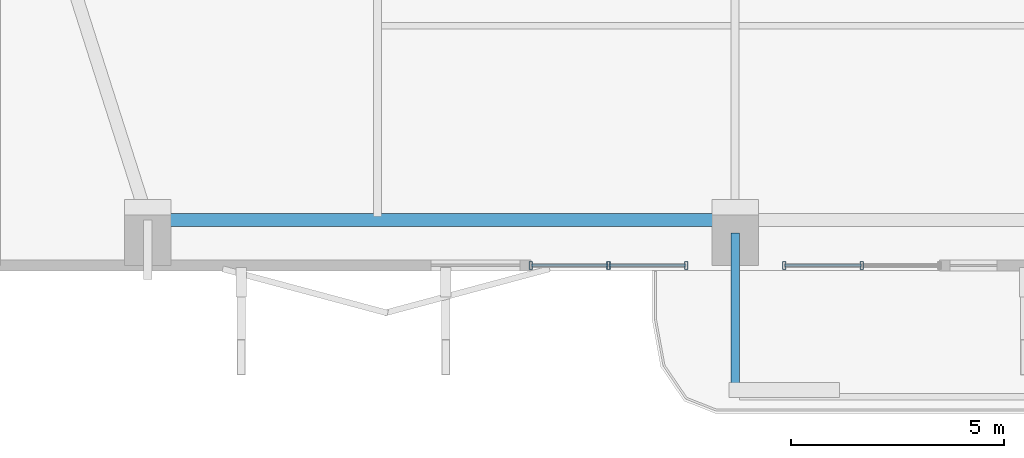
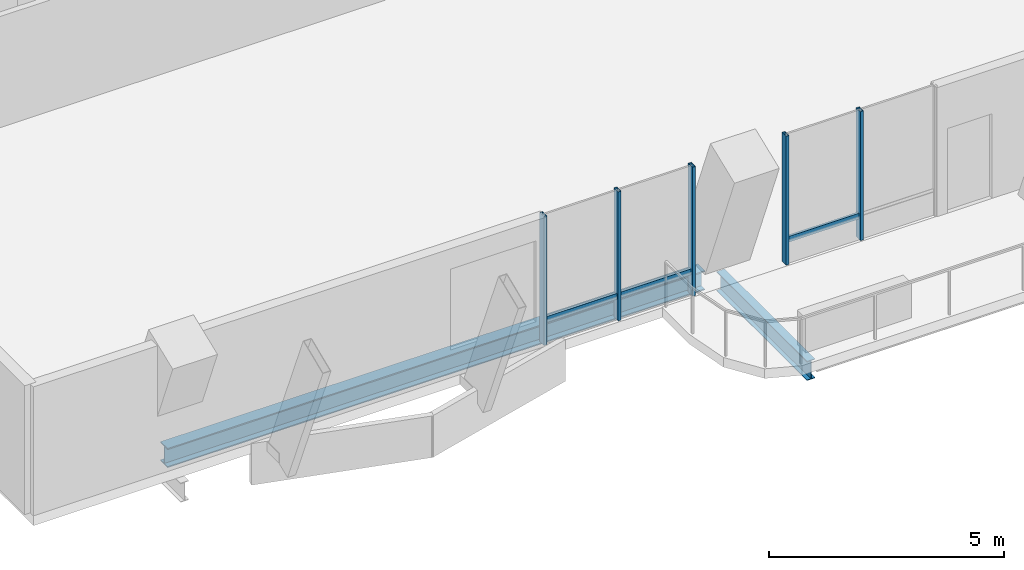
# One storey, part 2 of 24: 8 members, 2 beams, 2 elements without a shape of their own.
"""IFC4 building model written with IfcOpenShell, lengths in metres."""

import ifcopenshell
import ifcopenshell.guid

model = None  # the IFC model being written
_history = None  # IfcOwnerHistory: only IFC2X3 demands one
_inside = {}  # id of a spatial element -> (the spatial element, [elements in it])
_under = {}  # id of a project, library or spatial element -> (it, [spatial elements below it])
_declared = {}  # id of a project -> (the project, [libraries it declares])
_typed = {}  # id of a type object -> (the type object, [elements of that type])
_made_of = {}  # id of a material, layer set ... -> (it, [elements and type objects made of it])


def new_model(schema):
    """Start an empty IFC model of exactly this schema.

    Asked for "IFC4X3", IfcOpenShell would pick the latest addendum, in which some entities
    have other attributes; the version numbers below select the first issue.
    IFC2X3 requires an IfcOwnerHistory on every rooted entity: one is made here for all.
    """
    global model, _history
    if schema == "IFC4X3":
        model = ifcopenshell.file(schema_version=(4, 3, 0, 0))
    else:
        model = ifcopenshell.file(schema=schema)
    _inside.clear()
    _under.clear()
    _declared.clear()
    _typed.clear()
    _made_of.clear()
    _history = None
    if model.schema == "IFC2X3":
        org = make("IfcOrganization", Name="unknown")
        user = make(
            "IfcPersonAndOrganization",
            ThePerson=make("IfcPerson", FamilyName="unknown"),
            TheOrganization=org,
        )
        app = make(
            "IfcApplication",
            ApplicationDeveloper=org,
            Version="unknown",
            ApplicationFullName="unknown",
            ApplicationIdentifier="unknown",
        )
        _history = make(
            "IfcOwnerHistory",
            OwningUser=user,
            OwningApplication=app,
            ChangeAction="ADDED",
            CreationDate=0,
        )
    return model


def make(cls, **values):
    """One entity of the class cls with the attributes given. An attribute that is None is left unset."""
    return model.create_entity(
        cls, **{name: value for name, value in values.items() if value is not None}
    )


def rooted(cls, **values):
    """An entity with a GlobalId (a new one), such as an element, a storey or a relation."""
    return make(cls, GlobalId=ifcopenshell.guid.new(), OwnerHistory=_history, **values)


def si_unit(unit_type, name, prefix=None):
    """IfcSIUnit, for example si_unit("LENGTHUNIT", "METRE", prefix="MILLI")."""
    return make("IfcSIUnit", UnitType=unit_type, Prefix=prefix, Name=name)


def assignment(units):
    """IfcUnitAssignment: the units of a project."""
    return None if units is None else make("IfcUnitAssignment", Units=units)


def point(xyz):
    """IfcCartesianPoint."""
    return None if xyz is None else make("IfcCartesianPoint", Coordinates=xyz)


def direction(xyz):
    """IfcDirection."""
    return None if xyz is None else make("IfcDirection", DirectionRatios=xyz)


def frame(location, z_axis=None, x_axis=None):
    """IfcAxis2Placement3D, a coordinate frame: its origin and axes. An axis left out is left unset."""
    return make(
        "IfcAxis2Placement3D",
        Location=point(location),
        Axis=direction(z_axis),
        RefDirection=direction(x_axis),
    )


def frame_2d(location, x_axis=None):
    """IfcAxis2Placement2D, a coordinate frame in the plane: its origin and x axis."""
    return make(
        "IfcAxis2Placement2D", Location=point(location), RefDirection=direction(x_axis)
    )


def origin():
    """The frame at (0, 0, 0) with its axes left unset."""
    return frame((0.0, 0.0, 0.0))


def origin_2d():
    """The frame at (0, 0) in the plane with its x axis left unset."""
    return frame_2d((0.0, 0.0))


def place(relative_to, where):
    """IfcLocalPlacement: puts the frame where relative to a parent placement (None: the world)."""
    return make(
        "IfcLocalPlacement", PlacementRelTo=relative_to, RelativePlacement=where
    )


def context(
    kind, dimensions, precision=None, world=None, true_north=None, identifier=None
):
    """IfcGeometricRepresentationContext, for example the 3D "Model" context."""
    return make(
        "IfcGeometricRepresentationContext",
        ContextIdentifier=identifier,
        ContextType=kind,
        CoordinateSpaceDimension=dimensions,
        Precision=precision,
        WorldCoordinateSystem=world,
        TrueNorth=true_north,
    )


def subcontext(parent, identifier, kind, view, scale=None):
    """IfcGeometricRepresentationSubContext, for example "Body" below "Model"."""
    return make(
        "IfcGeometricRepresentationSubContext",
        ContextIdentifier=identifier,
        ContextType=kind,
        ParentContext=parent,
        TargetScale=scale,
        TargetView=view,
    )


def project(units=None, contexts=None):
    """IfcProject with its units and contexts."""
    return rooted(
        "IfcProject",
        Name="project",
        RepresentationContexts=contexts,
        UnitsInContext=assignment(units),
    )


def spatial(cls, under=None, at=None, **own):
    """A site, building, storey or space (cls), placed at a placement, below another one or the project."""
    s = rooted(cls, ObjectPlacement=at, **own)
    if under is not None:
        _under.setdefault(under.id(), (under, []))[1].append(s)
    return s


def profile(cls, at=None, kind="AREA", **sizes):
    """A parametric profile (cls). Its sizes go by their IFC names, for example OverallWidth=200.0."""
    return make(cls, ProfileType=kind, Position=at, **sizes)


def hollow_rectangle(**sizes):
    """IfcRectangleHollowProfileDef."""
    return profile("IfcRectangleHollowProfileDef", **sizes)


def i_section(**sizes):
    """IfcIShapeProfileDef."""
    return profile("IfcIShapeProfileDef", **sizes)


def extrude(swept, where, along, depth):
    """IfcExtrudedAreaSolid: the profile swept, set in the frame where, extruded along a direction by depth."""
    return make(
        "IfcExtrudedAreaSolid",
        SweptArea=swept,
        Position=where,
        ExtrudedDirection=direction(along),
        Depth=depth,
    )


def shape(context_of_items, identifier, shape_type, items):
    """IfcShapeRepresentation: the items that make up one representation, for example the "Body"."""
    return make(
        "IfcShapeRepresentation",
        ContextOfItems=context_of_items,
        RepresentationIdentifier=identifier,
        RepresentationType=shape_type,
        Items=items,
    )


def material(Name=None, Category=None):
    """IfcMaterial."""
    return make("IfcMaterial", Name=Name, Category=Category)


def layer(
    of_material, thickness, ventilated=None, Name=None, Category=None, Priority=None
):
    """IfcMaterialLayer: one layer of a wall or slab, of a material (None: an air gap)."""
    return make(
        "IfcMaterialLayer",
        Material=of_material,
        LayerThickness=thickness,
        IsVentilated=ventilated,
        Name=Name,
        Category=Category,
        Priority=Priority,
    )


def layer_set(layers, Name=None):
    """IfcMaterialLayerSet."""
    return make("IfcMaterialLayerSet", MaterialLayers=layers, LayerSetName=Name)


def material_profile(
    of_material, cross_section, Name=None, Category=None, Priority=None
):
    """IfcMaterialProfile: a cross section and its material."""
    return make(
        "IfcMaterialProfile",
        Name=Name,
        Material=of_material,
        Profile=cross_section,
        Priority=Priority,
        Category=Category,
    )


def profile_set(profiles, Name=None, composite=None):
    """IfcMaterialProfileSet."""
    return make(
        "IfcMaterialProfileSet",
        Name=Name,
        MaterialProfiles=profiles,
        CompositeProfile=composite,
    )


def made_of(thing, what):
    """Note that an element or type object is made of a material, layer set ...; save() writes the relation."""
    if what is not None:
        _made_of.setdefault(what.id(), (what, []))[1].append(thing)
    return thing


def type_object(cls, material=None, **own):
    """A type object (cls), such as IfcWallType, which elements share."""
    return made_of(rooted(cls, **own), material)


def element(
    cls,
    number,
    at=None,
    inside=None,
    cuts=None,
    type_object=None,
    material=None,
    context=None,
    identifier="Body",
    shape_type=None,
    held_by="IfcProductDefinitionShape",
    body=None,
    shapes=None,
    **own,
):
    """One element of the class cls, such as IfcWall. Its Tag is "e" and its number.

    at: its placement. inside: the storey or other place that contains it. cuts: it is an
    opening in that element (IfcRelVoidsElement). A single representation is given by context,
    identifier, shape_type and body (its items); several are given by shapes. held_by: the class
    of the entity that holds the representations. save() writes the other relations.
    """
    e = rooted(cls, Tag="e%d" % number, ObjectPlacement=at, **own)
    if body is not None:
        shapes = [shape(context, identifier, shape_type, body)]
    if shapes is not None:
        e.Representation = make(held_by, Representations=shapes)
    if inside is not None:
        _inside.setdefault(inside.id(), (inside, []))[1].append(e)
    if cuts is not None:
        rooted(
            "IfcRelVoidsElement", RelatingBuildingElement=cuts, RelatedOpeningElement=e
        )
    if type_object is not None:
        _typed.setdefault(type_object.id(), (type_object, []))[1].append(e)
    return made_of(e, material)


def aggregate(whole, parts):
    """IfcRelAggregates: a whole, such as a stair, and the parts it consists of."""
    return rooted("IfcRelAggregates", RelatingObject=whole, RelatedObjects=parts)


def save(model, path):
    """Write the relations noted so far, then the file.

    IfcRelAggregates (storeys below a building ...), IfcRelContainedInSpatialStructure (elements
    in a storey), IfcRelDefinesByType, IfcRelAssociatesMaterial and IfcRelDeclares: one each for
    every whole, place, type object, material and project.
    """
    for whole, parts in _under.values():
        aggregate(whole, parts)
    for where, things in _inside.values():
        rooted(
            "IfcRelContainedInSpatialStructure",
            RelatedElements=things,
            RelatingStructure=where,
        )
    for kind, things in _typed.values():
        rooted("IfcRelDefinesByType", RelatedObjects=things, RelatingType=kind)
    for what, things in _made_of.values():
        rooted("IfcRelAssociatesMaterial", RelatedObjects=things, RelatingMaterial=what)
    for by, libraries in _declared.values():
        rooted("IfcRelDeclares", RelatingContext=by, RelatedDefinitions=libraries)
    model.write(path)


model = new_model("IFC4")

# Units and contexts
model_context = context("Model", 3, precision=1e-05, world=origin(), true_north=direction((0.0, 1.0)))
body_context = subcontext(model_context, "Body", "Model", "MODEL_VIEW")
ifc_project = project(units=[si_unit("LENGTHUNIT", "METRE"), si_unit("AREAUNIT", "SQUARE_METRE"), si_unit("VOLUMEUNIT", "CUBIC_METRE"), si_unit("PLANEANGLEUNIT", "RADIAN"), si_unit("MASSUNIT", "GRAM", prefix="KILO")], contexts=[model_context])

# Site, building, storey
site_placement = place(None, origin())
site = spatial("IfcSite", under=ifc_project, at=site_placement, CompositionType="ELEMENT")
building_placement = place(site_placement, origin())
building = spatial("IfcBuilding", under=site, at=building_placement, Name="Belovzor Exchange Tower", CompositionType="ELEMENT")
storey_placement = place(building_placement, frame((0.0, 0.0, 190.800048828125)))
storey = spatial("IfcBuildingStorey", under=building, at=storey_placement, Name="L47", CompositionType="ELEMENT", Elevation=190.800048828125)

# Beam
ifc_material_1 = material(Name="Steel S355", Category="steel")
ifc_material_profile_1 = material_profile(ifc_material_1, i_section(OverallWidth=0.199951171875, OverallDepth=0.5, WebThickness=0.01025390625, FlangeThickness=0.01611328125, at=origin_2d()))
ifc_profile_set_1 = profile_set([ifc_material_profile_1], Name="Steel S355")
beam_type_1 = type_object("IfcBeamType", Name="Planted Balcony Cantilever Beam IPE 500", PredefinedType="BEAM", material=ifc_profile_set_1)
beam_1_placement = place(storey_placement, frame((28.800048828125, 5.39697265625, -0.505126953125), z_axis=(0.0, -1.0, 0.0), x_axis=(1.0, 0.0, 0.0)))
element("IfcBeam", 1, at=beam_1_placement, inside=storey, type_object=beam_type_1, Name="BC-500 Planted Balcony Cantilever Beam IPE 500", PredefinedType="BEAM", context=body_context, shape_type="SweptSolid", body=[
    extrude(i_section(OverallWidth=0.199951171875, OverallDepth=0.5, WebThickness=0.01025390625, FlangeThickness=0.01611328125, at=origin_2d()), origin(), (0.0, 0.0, 1.0), 3.849853515625),
])

# Curtain wall, members
ifc_material_2 = material(Name="Anodised Aluminium Framing", Category="aluminium")
ifc_layer = layer(ifc_material_2, 0.179931640625)
ifc_layer_set = layer_set([ifc_layer], Name="Anodised Aluminium Framing")
curtain_wall_type = type_object("IfcCurtainWallType", Name="Recessed Loggia Low-Iron Triple-Glazed Curtain Wall", PredefinedType="NOTDEFINED", material=ifc_layer_set)
curtain_wall_1_placement = place(storey_placement, origin())
curtain_wall_1 = element("IfcCurtainWall", 2, at=curtain_wall_1_placement, inside=storey, type_object=curtain_wall_type, Name="CW3 Recessed Loggia Low-Iron Triple-Glazed Curtain Wall L47", PredefinedType="NOTDEFINED")
ifc_material_3 = material(Name="Steel S355", Category="steel")
ifc_material_profile_2 = material_profile(ifc_material_3, hollow_rectangle(XDim=0.074951171875, YDim=0.179931640625, WallThickness=0.0048828125, at=origin_2d()))
ifc_profile_set_2 = profile_set([ifc_material_profile_2], Name="Steel S355")
member_type_1 = type_object("IfcMemberType", Name="Thermally Broken Curtain Wall Mullion 180x75", PredefinedType="MULLION", material=ifc_profile_set_2)
member_1_placement = place(storey_placement, frame((31.77490234375, 4.6298828125, 0.0), z_axis=(0.0, 0.0, 1.0), x_axis=(-1.0, 0.0, 0.0)))
member_1 = element("IfcMember", 3, at=member_1_placement, type_object=member_type_1, Name="CW-M180 Curtain Wall Mullion 2", PredefinedType="MULLION", context=body_context, shape_type="SweptSolid", body=[
    extrude(hollow_rectangle(XDim=0.074951171875, YDim=0.179931640625, WallThickness=0.0048828125, at=origin_2d()), origin(), (0.0, 0.0, 1.0), 3.349853515625),
])
member_2_placement = place(storey_placement, frame((29.949951171875, 4.6298828125, 0.0), z_axis=(0.0, 0.0, 1.0), x_axis=(-1.0, 0.0, 0.0)))
member_2 = element("IfcMember", 4, at=member_2_placement, type_object=member_type_1, Name="CW-M180 Curtain Wall Mullion 3", PredefinedType="MULLION", context=body_context, shape_type="SweptSolid", body=[
    extrude(hollow_rectangle(XDim=0.074951171875, YDim=0.179931640625, WallThickness=0.0048828125, at=origin_2d()), origin(), (0.0, 0.0, 1.0), 3.349853515625),
])

curtain_wall_2_placement = place(storey_placement, origin())
curtain_wall_2 = element("IfcCurtainWall", 5, at=curtain_wall_2_placement, inside=storey, type_object=curtain_wall_type, Name="CW3 Recessed Loggia Low-Iron Triple-Glazed Curtain Wall L47", PredefinedType="NOTDEFINED")
member_3_placement = place(storey_placement, frame((27.64990234375, 4.6298828125, 0.0), z_axis=(0.0, 0.0, 1.0), x_axis=(-1.0, 0.0, 0.0)))
member_3 = element("IfcMember", 6, at=member_3_placement, type_object=member_type_1, Name="CW-M180 Curtain Wall Mullion 1", PredefinedType="MULLION", context=body_context, shape_type="SweptSolid", body=[
    extrude(hollow_rectangle(XDim=0.074951171875, YDim=0.179931640625, WallThickness=0.0048828125, at=origin_2d()), origin(), (0.0, 0.0, 1.0), 3.349853515625),
])
member_4_placement = place(storey_placement, frame((25.824951171875, 4.6298828125, 0.0), z_axis=(0.0, 0.0, 1.0), x_axis=(-1.0, 0.0, 0.0)))
member_4 = element("IfcMember", 7, at=member_4_placement, type_object=member_type_1, Name="CW-M180 Curtain Wall Mullion 2", PredefinedType="MULLION", context=body_context, shape_type="SweptSolid", body=[
    extrude(hollow_rectangle(XDim=0.074951171875, YDim=0.179931640625, WallThickness=0.0048828125, at=origin_2d()), origin(), (0.0, 0.0, 1.0), 3.349853515625),
])
member_5_placement = place(storey_placement, frame((24.0, 4.6298828125, 0.0), z_axis=(0.0, 0.0, 1.0), x_axis=(-1.0, 0.0, 0.0)))
member_5 = element("IfcMember", 8, at=member_5_placement, type_object=member_type_1, Name="CW-M180 Curtain Wall Mullion 3", PredefinedType="MULLION", context=body_context, shape_type="SweptSolid", body=[
    extrude(hollow_rectangle(XDim=0.074951171875, YDim=0.179931640625, WallThickness=0.0048828125, at=origin_2d()), origin(), (0.0, 0.0, 1.0), 3.349853515625),
])

# Member
ifc_material_4 = material(Name="Steel S355", Category="steel")
ifc_material_profile_3 = material_profile(ifc_material_4, hollow_rectangle(XDim=0.06005859375, YDim=0.14990234375, WallThickness=0.00390625, at=origin_2d()))
ifc_profile_set_3 = profile_set([ifc_material_profile_3], Name="Steel S355")
member_type_2 = type_object("IfcMemberType", Name="Thermally Broken Curtain Wall Transom 150x60", PredefinedType="USERDEFINED", material=ifc_profile_set_3)
member_6_placement = place(storey_placement, frame((31.76708984375, 4.6298828125, 0.60302734375), z_axis=(-1.0, 0.0, 0.0), x_axis=(0.0, -1.0, 0.0)))
member_6 = element("IfcMember", 9, at=member_6_placement, type_object=member_type_2, Name="CW-T150 Curtain Wall Transom 2", ObjectType="TRANSOM", PredefinedType="USERDEFINED", context=body_context, shape_type="SweptSolid", body=[
    extrude(hollow_rectangle(XDim=0.06005859375, YDim=0.14990234375, WallThickness=0.00390625, at=origin_2d()), origin(), (0.0, 0.0, 1.0), 1.80908203125),
])

aggregate(curtain_wall_1, [member_1, member_2, member_6])

member_7_placement = place(storey_placement, frame((27.64208984375, 4.6298828125, 0.60302734375), z_axis=(-1.0, 0.0, 0.0), x_axis=(0.0, -1.0, 0.0)))
member_7 = element("IfcMember", 10, at=member_7_placement, type_object=member_type_2, Name="CW-T150 Curtain Wall Transom 1", ObjectType="TRANSOM", PredefinedType="USERDEFINED", context=body_context, shape_type="SweptSolid", body=[
    extrude(hollow_rectangle(XDim=0.06005859375, YDim=0.14990234375, WallThickness=0.00390625, at=origin_2d()), origin(), (0.0, 0.0, 1.0), 1.80908203125),
])

member_8_placement = place(storey_placement, frame((25.81689453125, 4.6298828125, 0.60302734375), z_axis=(-1.0, 0.0, 0.0), x_axis=(0.0, -1.0, 0.0)))
member_8 = element("IfcMember", 11, at=member_8_placement, type_object=member_type_2, Name="CW-T150 Curtain Wall Transom 2", ObjectType="TRANSOM", PredefinedType="USERDEFINED", context=body_context, shape_type="SweptSolid", body=[
    extrude(hollow_rectangle(XDim=0.06005859375, YDim=0.14990234375, WallThickness=0.00390625, at=origin_2d()), origin(), (0.0, 0.0, 1.0), 1.808837890625),
])

aggregate(curtain_wall_2, [member_3, member_4, member_5, member_7, member_8])

# Beam
ifc_material_5 = material(Name="Steel S355", Category="steel")
ifc_material_profile_4 = material_profile(ifc_material_5, i_section(OverallWidth=0.300048828125, OverallDepth=0.5, WebThickness=0.014404296875, FlangeThickness=0.028076171875, at=origin_2d()))
ifc_profile_set_4 = profile_set([ifc_material_profile_4], Name="Steel S355")
beam_type_2 = type_object("IfcBeamType", Name="Zone 3 Waist Primary Girder HEB 500", PredefinedType="BEAM", material=ifc_profile_set_4)
beam_2_placement = place(storey_placement, frame((15.302978515625, 5.699951171875, -0.505126953125), z_axis=(1.0, 0.0, 0.0), x_axis=(0.0, 1.0, 0.0)))
element("IfcBeam", 12, at=beam_2_placement, inside=storey, type_object=beam_type_2, Name="FG-Z3 Zone 3 Waist Primary Girder HEB 500", PredefinedType="BEAM", context=body_context, shape_type="SweptSolid", body=[
    extrude(i_section(OverallWidth=0.300048828125, OverallDepth=0.5, WebThickness=0.014404296875, FlangeThickness=0.028076171875, at=origin_2d()), origin(), (0.0, 0.0, 1.0), 13.195068359375),
])

save(model, "model.ifc")
